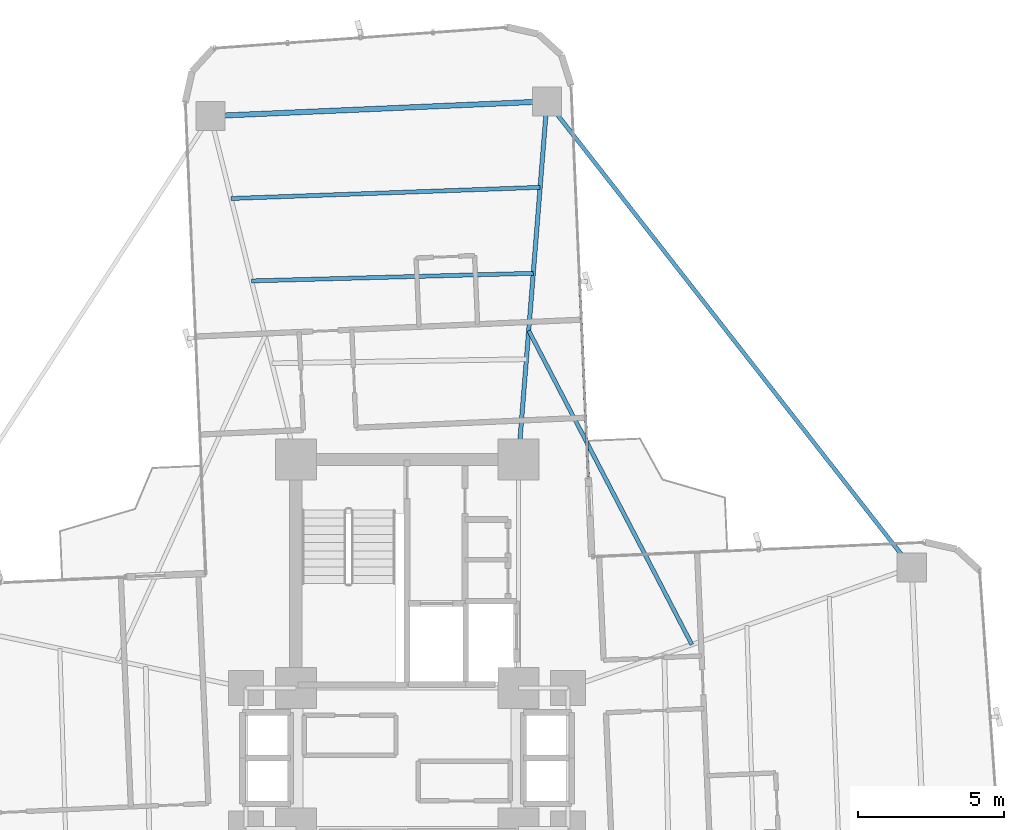
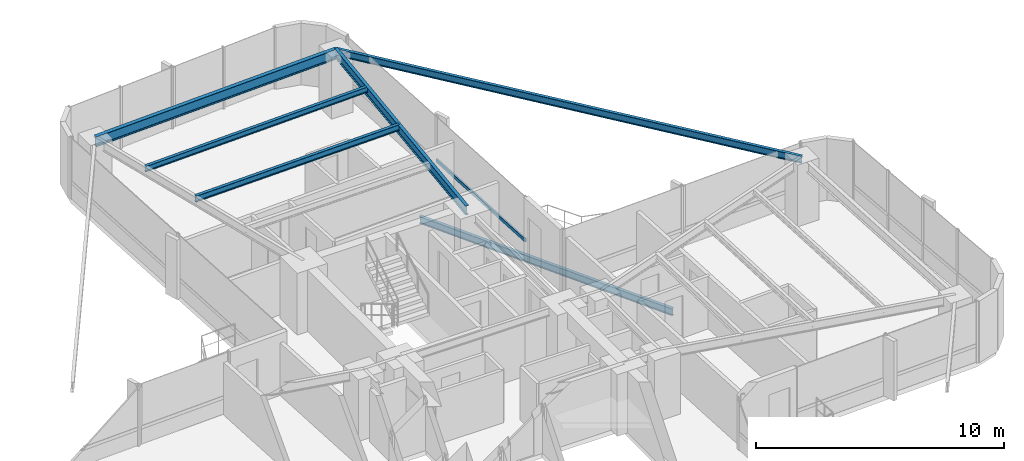
# One storey, part 18 of 26: 6 beams, 1 member, 1 element without a shape of its own.
"""IFC4 building model written with IfcOpenShell, lengths in metres."""

from ifc_helpers import new_model, si_unit, direction, frame, origin, origin_2d, place, context, subcontext, project, spatial, hollow_rectangle, i_section, extrude, source, transform, mapped, material, material_profile, profile_set, type_object, element, aggregate, save


model = new_model("IFC4")

# Units and contexts
model_context = context("Model", 3, precision=1e-05, world=origin(), true_north=direction((0.0, 1.0)))
body_context = subcontext(model_context, "Body", "Model", "MODEL_VIEW")
ifc_project = project(units=[si_unit("LENGTHUNIT", "METRE"), si_unit("AREAUNIT", "SQUARE_METRE"), si_unit("VOLUMEUNIT", "CUBIC_METRE"), si_unit("PLANEANGLEUNIT", "RADIAN"), si_unit("MASSUNIT", "GRAM", prefix="KILO")], contexts=[model_context])

# Site, building, storey
site_placement = place(None, origin())
site = spatial("IfcSite", under=ifc_project, at=site_placement, CompositionType="ELEMENT")
building_placement = place(site_placement, origin())
building = spatial("IfcBuilding", under=site, at=building_placement, Name="Sahyath Konkavel Grand Hotel", CompositionType="ELEMENT")
storey_placement = place(building_placement, frame((0.0, 0.0, 134.89990234375)))
storey = spatial("IfcBuildingStorey", under=building, at=storey_placement, Name="L37", CompositionType="ELEMENT", Elevation=134.89990234375)

# Beams
ifc_material_1 = material(Name="Steel E350", Category="steel")
ifc_material_profile_1 = material_profile(ifc_material_1, i_section(OverallWidth=0.14990234375, OverallDepth=0.449951171875, WebThickness=0.009521484375, FlangeThickness=0.017333984375, FilletRadius=0.014892578125, at=origin_2d()), Name="ISMB 450")
ifc_profile_set_1 = profile_set([ifc_material_profile_1], Name="Steel E350")
beam_type_1 = type_object("IfcBeamType", Name="BM-ISMB450", PredefinedType="BEAM", material=ifc_profile_set_1)
shared_shape_1 = source(origin(), body_context, "Body", "SweptSolid", [
    extrude(i_section(OverallWidth=0.14990234375, OverallDepth=0.449951171875, WebThickness=0.009521484375, FlangeThickness=0.017333984375, FilletRadius=0.014892578125, at=origin_2d()), origin(), (0.0, 0.0, 1.0), 12.2685546875),
])
beam_1_placement = place(storey_placement, frame((3.800048828125, 10.199951171875, 2.80517578125), z_axis=(0.079558563357, 0.996830193662, 0.0), x_axis=(-0.996830193662, 0.079558563357, 0.0)))
element("IfcBeam", 1, at=beam_1_placement, inside=storey, type_object=beam_type_1, Name="L37 Cruciform Radial Girder NA", PredefinedType="BEAM", context=body_context, shape_type="MappedRepresentation", body=[
    mapped(shared_shape_1, transform((0.0, 0.0, 0.0), scale=1.0)),
])
ifc_material_profile_2 = material_profile(ifc_material_1, i_section(OverallWidth=0.179931640625, OverallDepth=0.5, WebThickness=0.01025390625, FlangeThickness=0.01708984375, FilletRadius=0.01708984375, at=origin_2d()), Name="ISMB 500")
ifc_profile_set_2 = profile_set([ifc_material_profile_2], Name="Steel E350")
beam_type_2 = type_object("IfcBeamType", Name="BM-ISMB500", PredefinedType="BEAM", material=ifc_profile_set_2)
shared_shape_2 = source(origin(), body_context, "Body", "SweptSolid", [
    extrude(i_section(OverallWidth=0.179931640625, OverallDepth=0.5, WebThickness=0.01025390625, FlangeThickness=0.01708984375, FilletRadius=0.01708984375, at=origin_2d()), origin(), (0.0, 0.0, 1.0), 11.5),
])
beam_2_placement = place(storey_placement, frame((4.776123046875, 22.4296875, 2.780029296875), z_axis=(-0.99904788879, -0.043627008892, 0.0), x_axis=(0.043627008892, -0.99904788879, 0.0)))
element("IfcBeam", 2, at=beam_2_placement, inside=storey, type_object=beam_type_2, Name="L37 Wing Tip Edge Beam N", PredefinedType="BEAM", context=body_context, shape_type="MappedRepresentation", body=[
    mapped(shared_shape_2, transform((0.0, 0.0, 0.0), scale=1.0)),
])
ifc_material_profile_3 = material_profile(ifc_material_1, i_section(OverallWidth=0.139892578125, OverallDepth=0.35009765625, WebThickness=0.008056640625, FlangeThickness=0.01416015625, FilletRadius=0.013916015625, at=origin_2d()), Name="ISMB 350")
ifc_profile_set_3 = profile_set([ifc_material_profile_3], Name="Steel E350")
beam_type_3 = type_object("IfcBeamType", Name="BM-ISMB350", PredefinedType="BEAM", material=ifc_profile_set_3)
shared_shape_3 = source(origin(), body_context, "Body", "SweptSolid", [
    extrude(i_section(OverallWidth=0.139892578125, OverallDepth=0.35009765625, WebThickness=0.008056640625, FlangeThickness=0.01416015625, FilletRadius=0.013916015625, at=origin_2d()), origin(), (0.0, 0.0, 1.0), 20.215576171875),
])
beam_3_placement = place(storey_placement, frame((17.232421875, 6.5078125, 2.85498046875), z_axis=(-0.616176369687, 0.787608203004, 0.0), x_axis=(-0.787608203004, -0.616176369687, 0.0)))
element("IfcBeam", 3, at=beam_3_placement, inside=storey, type_object=beam_type_3, Name="L37 Re-Entrant Tie Beam NE", PredefinedType="BEAM", context=body_context, shape_type="MappedRepresentation", body=[
    mapped(shared_shape_3, transform((0.0, 0.0, 0.0), scale=1.0)),
])
ifc_material_profile_4 = material_profile(ifc_material_1, i_section(OverallWidth=0.139892578125, OverallDepth=0.300048828125, WebThickness=0.0078125, FlangeThickness=0.01318359375, FilletRadius=0.013916015625, at=origin_2d()), Name="ISMB 300")
ifc_profile_set_4 = profile_set([ifc_material_profile_4], Name="Steel E350")
beam_type_4 = type_object("IfcBeamType", Name="BM-ISMB300", PredefinedType="BEAM", material=ifc_profile_set_4)
shared_shape_4 = source(origin(), body_context, "Body", "SweptSolid", [
    extrude(i_section(OverallWidth=0.139892578125, OverallDepth=0.300048828125, WebThickness=0.0078125, FlangeThickness=0.01318359375, FilletRadius=0.013916015625, at=origin_2d()), origin(), (0.0, 0.0, 1.0), 9.625732421875),
])
beam_4_placement = place(storey_placement, frame((4.3076171875, 16.559326171875, 2.880126953125), z_axis=(-0.999633060528, -0.027087714933, 0.0), x_axis=(0.027087714933, -0.999633060528, 0.0)))
element("IfcBeam", 4, at=beam_4_placement, inside=storey, type_object=beam_type_4, Name="L37 Secondary Floor Beam N-2", PredefinedType="BEAM", context=body_context, shape_type="MappedRepresentation", body=[
    mapped(shared_shape_4, transform((0.0, 0.0, 0.0), scale=1.0)),
])
ifc_material_profile_5 = material_profile(ifc_material_1, i_section(OverallWidth=0.139892578125, OverallDepth=0.27490234375, WebThickness=0.00634765625, FlangeThickness=0.0087890625, FilletRadius=0.012939453125, at=origin_2d()), Name="ISLB 275")
ifc_profile_set_5 = profile_set([ifc_material_profile_5], Name="Steel E350")
beam_type_5 = type_object("IfcBeamType", Name="BM-ISLB275", PredefinedType="BEAM", material=ifc_profile_set_5)
shared_shape_5 = source(origin(), body_context, "Body", "SweptSolid", [
    extrude(i_section(OverallWidth=0.139892578125, OverallDepth=0.27490234375, WebThickness=0.00634765625, FlangeThickness=0.0087890625, FilletRadius=0.012939453125, at=origin_2d()), origin(), (0.0, 0.0, 1.0), 10.562744140625),
])
beam_5_placement = place(storey_placement, frame((4.5419921875, 19.49462890625, 2.892578125), z_axis=(-0.999348077295, -0.036102914095, 0.0), x_axis=(0.036102914095, -0.999348077295, 0.0)))
element("IfcBeam", 5, at=beam_5_placement, inside=storey, type_object=beam_type_5, Name="L37 Secondary Floor Beam N-3", PredefinedType="BEAM", context=body_context, shape_type="MappedRepresentation", body=[
    mapped(shared_shape_5, transform((0.0, 0.0, 0.0), scale=1.0)),
])

# Curtain wall, member
ifc_material_2 = material(Name="Anodised Bronze Aluminium & Low-E Glazing", Category="aluminium")
curtain_wall_type = type_object("IfcCurtainWallType", Name="CW-ZONE2", PredefinedType="NOTDEFINED", material=ifc_material_2)
curtain_wall_placement = place(storey_placement, origin())
curtain_wall = element("IfcCurtainWall", 6, at=curtain_wall_placement, inside=storey, type_object=curtain_wall_type, Name="L37 Unitised Curtain Wall F8", PredefinedType="NOTDEFINED")
ifc_material_3 = material(Name="Anodised Bronze Aluminium", Category="aluminium")
ifc_material_profile_6 = material_profile(ifc_material_3, hollow_rectangle(XDim=0.080078125, YDim=0.159912109375, WallThickness=0.006103515625, at=origin_2d()), Name="RHS 160x80x6")
ifc_profile_set_6 = profile_set([ifc_material_profile_6], Name="Anodised Bronze Aluminium")
member_type = type_object("IfcMemberType", Name="CW-TRN-160", PredefinedType="USERDEFINED", material=ifc_profile_set_6)
shared_shape_6 = source(origin(), body_context, "Body", "SweptSolid", [
    extrude(hollow_rectangle(XDim=0.080078125, YDim=0.159912109375, WallThickness=0.006103515625, at=origin_2d()), origin(), (0.0, 0.0, 1.0), 6.66015625),
])
member_placement = place(storey_placement, frame((6.186279296875, 9.618896484375, 0.85009765625), z_axis=(-0.043621753165, 0.999048118286, 0.0), x_axis=(-0.999048118286, -0.043621753165, 0.0)))
member = element("IfcMember", 7, at=member_placement, type_object=member_type, Name="L37 Curtain Wall Transom F8-0-spandrel", ObjectType="TRANSOM", PredefinedType="USERDEFINED", context=body_context, shape_type="MappedRepresentation", body=[
    mapped(shared_shape_6, transform((0.0, 0.0, 0.0), scale=1.0)),
])
aggregate(curtain_wall, [member])

# Beam
ifc_material_profile_7 = material_profile(ifc_material_1, i_section(OverallWidth=0.139892578125, OverallDepth=0.35009765625, WebThickness=0.008056640625, FlangeThickness=0.01416015625, FilletRadius=0.013916015625, at=origin_2d()), Name="ISMB 350")
ifc_profile_set_7 = profile_set([ifc_material_profile_7], Name="Steel E350")
beam_type_6 = type_object("IfcBeamType", Name="BM-BALC-CANT", PredefinedType="BEAM", material=ifc_profile_set_7)
shared_shape_7 = source(origin(), body_context, "Body", "SweptSolid", [
    extrude(i_section(OverallWidth=0.139892578125, OverallDepth=0.35009765625, WebThickness=0.008056640625, FlangeThickness=0.01416015625, FilletRadius=0.013916015625, at=origin_2d()), origin(), (0.0, 0.0, 1.0), 12.085205078125),
])
beam_6_placement = place(storey_placement, frame((9.7236328125, 3.87890625, -0.414794921875), z_axis=(-0.461082384626, 0.887357331962, 0.0), x_axis=(-0.887357331962, -0.461082384626, 0.0)))
element("IfcBeam", 8, at=beam_6_placement, inside=storey, type_object=beam_type_6, Name="L37 Balcony Cantilever Support Beam NE", PredefinedType="BEAM", context=body_context, shape_type="MappedRepresentation", body=[
    mapped(shared_shape_7, transform((0.0, 0.0, 0.0), scale=1.0)),
])

save(model, "model.ifc")
